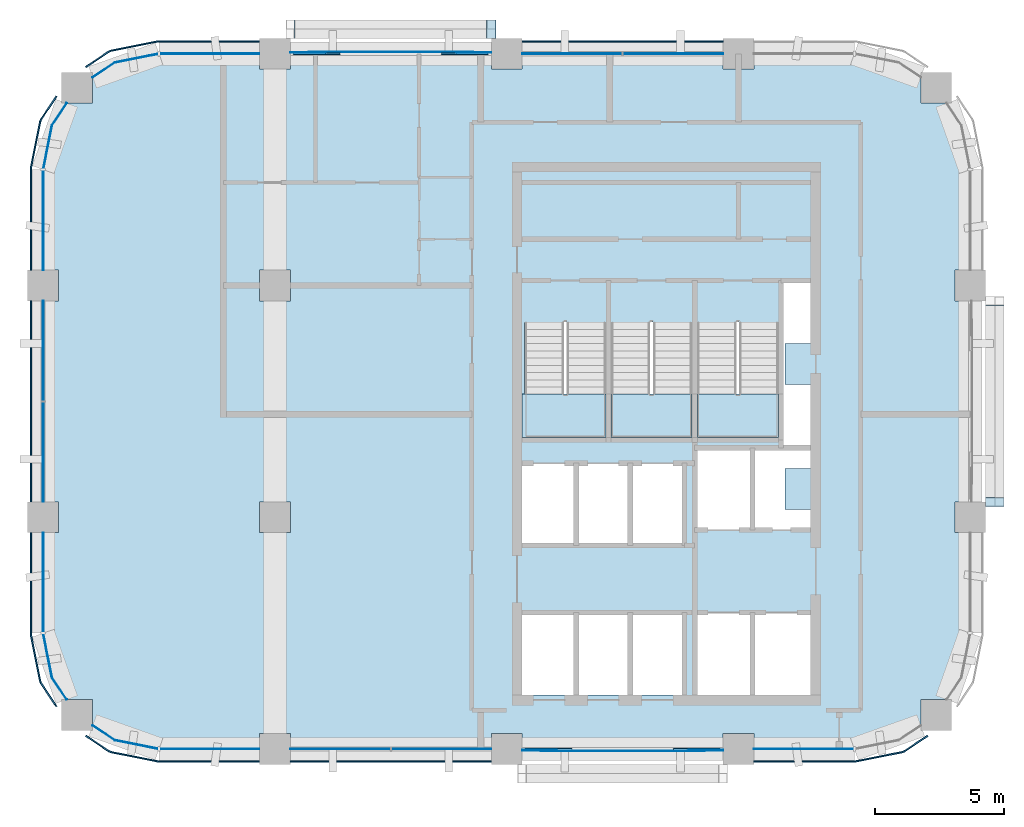
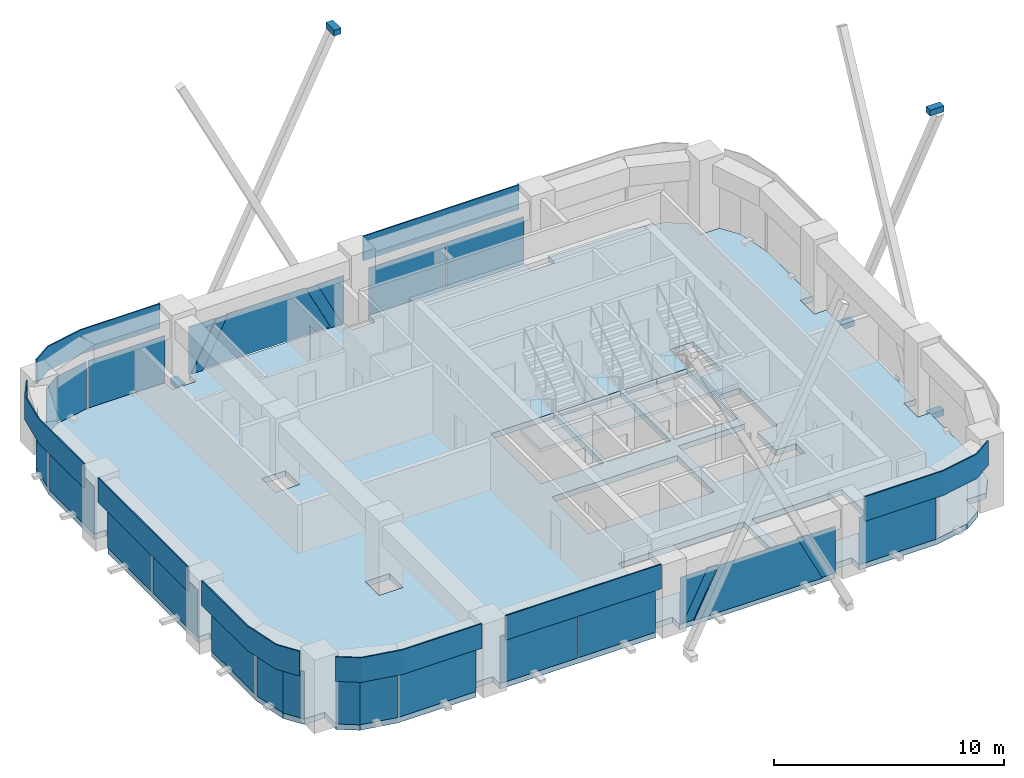
# One storey, part 5 of 10: 33 plates, 6 members, 4 slabs, 13 elements without a shape of their own.
"""IFC4 building model written with IfcOpenShell, lengths in metres."""

from ifc_helpers import new_model, si_unit, direction, frame, origin, origin_2d, place, context, subcontext, project, spatial, polyline, rectangle, outline, extrude, material, layer, layer_set, type_object, element, aggregate, save


model = new_model("IFC4")

# Units and contexts
model_context = context("Model", 3, precision=1e-05, world=origin(), true_north=direction((0.0, 1.0)))
body_context = subcontext(model_context, "Body", "Model", "MODEL_VIEW")
ifc_project = project(units=[si_unit("LENGTHUNIT", "METRE"), si_unit("AREAUNIT", "SQUARE_METRE"), si_unit("VOLUMEUNIT", "CUBIC_METRE"), si_unit("PLANEANGLEUNIT", "RADIAN"), si_unit("MASSUNIT", "GRAM", prefix="KILO")], contexts=[model_context])

# Site, building, storey
site_placement = place(None, origin())
site = spatial("IfcSite", under=ifc_project, at=site_placement, CompositionType="ELEMENT")
building_placement = place(site_placement, origin())
building = spatial("IfcBuilding", under=site, at=building_placement, Name="Tessera Arch", CompositionType="ELEMENT")
storey_placement = place(building_placement, frame((0.0, 0.0, 265.699951171875)))
storey = spatial("IfcBuildingStorey", under=building, at=storey_placement, Name="L64", CompositionType="ELEMENT", Elevation=265.699951171875)

# Members
ifc_material_1 = material(Name="Steel A572 Gr50", Category="steel")
ifc_layer_1 = layer(ifc_material_1, 0.050048828125)
ifc_layer_set_1 = layer_set([ifc_layer_1], Name="Node block Steel A572 Gr50")
member_type = type_object("IfcMemberType", Name="Node block Steel A572 Gr50", PredefinedType="PLATE", material=ifc_layer_set_1)
for number, where, z_axis, x_axis, name in (
    (1, (54.95556640625, 44.39990234375, -1.20166015625), (0.0, 0.0, 1.0), (0.0, 1.0, 0.0), "Node block seat E54.27-0 1 L64"),
    (2, (54.95556640625, 36.60009765625, -1.20166015625), (0.0, 0.0, 1.0), (0.0, 1.0, 0.0), "Node block seat E54.27-0 2 L64"),
    (3, (54.95556640625, 36.60009765625, 14.90185546875), (0.0, 0.0, 1.0), (0.0, 1.0, 0.0), "Node block head E54.27-0 B L64"),
    (4, (27.60009765625, 54.95556640625, -1.20166015625), (0.0, 0.0, 1.0), (-1.0, 0.0, 0.0), "Node block seat N54.18-2 1 L64"),
    (5, (35.39990234375, 54.95556640625, -1.20166015625), (0.0, 0.0, 1.0), (-1.0, 0.0, 0.0), "Node block seat N54.18-2 2 L64"),
    (6, (35.39990234375, 54.95556640625, 14.90185546875), (0.0, 0.0, 1.0), (-1.0, 0.0, 0.0), "Node block head N54.18-2 B L64"),
):
    element("IfcMember", number, at=place(storey_placement, frame(where, z_axis=z_axis, x_axis=x_axis)), inside=storey, type_object=member_type, Name=name, PredefinedType="PLATE", context=body_context, shape_type="SweptSolid", body=[
        extrude(rectangle(XDim=0.355712890625, YDim=0.711181640625, at=origin_2d()), origin(), (0.0, 0.0, 1.0), 0.300048828125),
    ])

# Curtain wall, plates
ifc_material_2 = material(Name="CW1 curtain wall")
curtain_wall_type_1 = type_object("IfcCurtainWallType", Name="CW1 curtain wall", PredefinedType="NOTDEFINED", material=ifc_material_2)
curtain_wall_1_placement = place(storey_placement, origin())
curtain_wall_1 = element("IfcCurtainWall", 7, at=curtain_wall_1_placement, inside=storey, type_object=curtain_wall_type_1, Name="CW1 curtain wall N54.18/1 L64", PredefinedType="NOTDEFINED")
ifc_material_3 = material(Name="Clear low-e glass", Category="glass")
ifc_material_4 = material(Name="Clear low-e glass", Category="glass")
ifc_layer_2 = layer(ifc_material_4, 0.028076171875)
ifc_layer_set_2 = layer_set([ifc_layer_2], Name="CW1 glass panel")
plate_type_1 = type_object("IfcPlateType", Name="CW1 glass panel", PredefinedType="CURTAIN_PANEL", material=ifc_layer_set_2)
plate_1_placement = place(storey_placement, frame((42.465087890625, 54.0, 0.0), z_axis=(0.0, 0.0, 1.0), x_axis=(-1.0, 0.0, 0.0)))
plate_1 = element("IfcPlate", 8, at=plate_1_placement, type_object=plate_type_1, material=ifc_material_3, Name="CW1 glass panel N54.18/1 1.1.1", PredefinedType="CURTAIN_PANEL", context=body_context, shape_type="SweptSolid", body=[
    extrude(rectangle(XDim=3.8701171875, YDim=0.028076171875, at=origin_2d()), origin(), (0.0, 0.0, 1.0), 2.5),
])
plate_2_placement = place(storey_placement, frame((38.534912109375, 54.0, 0.0), z_axis=(0.0, 0.0, 1.0), x_axis=(-1.0, 0.0, 0.0)))
plate_2 = element("IfcPlate", 9, at=plate_2_placement, type_object=plate_type_1, material=ifc_material_3, Name="CW1 glass panel N54.18/1 1.2.1", PredefinedType="CURTAIN_PANEL", context=body_context, shape_type="SweptSolid", body=[
    extrude(rectangle(XDim=3.8701171875, YDim=0.028076171875, at=origin_2d()), origin(), (0.0, 0.0, 1.0), 2.5),
])

curtain_wall_2_placement = place(storey_placement, origin())
curtain_wall_2 = element("IfcCurtainWall", 10, at=curtain_wall_2_placement, inside=storey, type_object=curtain_wall_type_1, Name="CW1 curtain wall W18.27/1 L64", PredefinedType="NOTDEFINED")
plate_3_placement = place(storey_placement, frame((18.0, 42.465087890625, 0.0), z_axis=(0.0, 0.0, 1.0), x_axis=(0.0, -1.0, 0.0)))
plate_3 = element("IfcPlate", 11, at=plate_3_placement, type_object=plate_type_1, material=ifc_material_3, Name="CW1 glass panel W18.27/1 1.1.1", PredefinedType="CURTAIN_PANEL", context=body_context, shape_type="SweptSolid", body=[
    extrude(rectangle(XDim=3.8701171875, YDim=0.028076171875, at=origin_2d()), origin(), (0.0, 0.0, 1.0), 2.5),
])
plate_4_placement = place(storey_placement, frame((18.0, 38.534912109375, 0.0), z_axis=(0.0, 0.0, 1.0), x_axis=(0.0, -1.0, 0.0)))
plate_4 = element("IfcPlate", 12, at=plate_4_placement, type_object=plate_type_1, material=ifc_material_3, Name="CW1 glass panel W18.27/1 1.2.1", PredefinedType="CURTAIN_PANEL", context=body_context, shape_type="SweptSolid", body=[
    extrude(rectangle(XDim=3.8701171875, YDim=0.028076171875, at=origin_2d()), origin(), (0.0, 0.0, 1.0), 2.5),
])

curtain_wall_3_placement = place(storey_placement, origin())
curtain_wall_3 = element("IfcCurtainWall", 13, at=curtain_wall_3_placement, inside=storey, type_object=curtain_wall_type_1, Name="CW1 curtain wall S27.18/1 L64", PredefinedType="NOTDEFINED")
plate_5_placement = place(storey_placement, frame((29.534912109375, 27.0, 0.0), z_axis=(0.0, 0.0, 1.0), x_axis=(1.0, 0.0, 0.0)))
plate_5 = element("IfcPlate", 14, at=plate_5_placement, type_object=plate_type_1, material=ifc_material_3, Name="CW1 glass panel S27.18/1 1.1.1", PredefinedType="CURTAIN_PANEL", context=body_context, shape_type="SweptSolid", body=[
    extrude(rectangle(XDim=3.8701171875, YDim=0.028076171875, at=origin_2d()), origin(), (0.0, 0.0, 1.0), 2.5),
])
plate_6_placement = place(storey_placement, frame((33.465087890625, 27.0, 0.0), z_axis=(0.0, 0.0, 1.0), x_axis=(1.0, 0.0, 0.0)))
plate_6 = element("IfcPlate", 15, at=plate_6_placement, type_object=plate_type_1, material=ifc_material_3, Name="CW1 glass panel S27.18/1 1.2.1", PredefinedType="CURTAIN_PANEL", context=body_context, shape_type="SweptSolid", body=[
    extrude(rectangle(XDim=3.8701171875, YDim=0.028076171875, at=origin_2d()), origin(), (0.0, 0.0, 1.0), 2.5),
])

# Plate
ifc_material_5 = material(Name="Pale anodised aluminium panel", Category="aluminium")
ifc_layer_3 = layer(ifc_material_5, 0.06005859375)
ifc_layer_set_3 = layer_set([ifc_layer_3], Name="CW1 spandrel panel")
plate_type_2 = type_object("IfcPlateType", Name="CW1 spandrel panel", PredefinedType="CURTAIN_PANEL", material=ifc_layer_set_3)
plate_7_placement = place(storey_placement, frame((40.5, 54.47998046875, 2.60009765625), z_axis=(0.0, 0.0, 1.0), x_axis=(-1.0, 0.0, 0.0)))
plate_7 = element("IfcPlate", 16, at=plate_7_placement, type_object=plate_type_2, Name="CW1 spandrel panel N54.18/1", PredefinedType="CURTAIN_PANEL", context=body_context, shape_type="SweptSolid", body=[
    extrude(rectangle(XDim=7.800048828125, YDim=0.06005859375, at=origin_2d()), origin(), (0.0, 0.0, 1.0), 1.300048828125),
])

aggregate(curtain_wall_1, [plate_1, plate_2, plate_7])

plate_8_placement = place(storey_placement, frame((17.52001953125, 40.5, 2.60009765625), z_axis=(0.0, 0.0, 1.0), x_axis=(0.0, -1.0, 0.0)))
plate_8 = element("IfcPlate", 17, at=plate_8_placement, type_object=plate_type_2, Name="CW1 spandrel panel W18.27/1", PredefinedType="CURTAIN_PANEL", context=body_context, shape_type="SweptSolid", body=[
    extrude(rectangle(XDim=7.800048828125, YDim=0.06005859375, at=origin_2d()), origin(), (0.0, 0.0, 1.0), 1.300048828125),
])

aggregate(curtain_wall_2, [plate_3, plate_4, plate_8])

plate_9_placement = place(storey_placement, frame((31.5, 26.52001953125, 2.60009765625), z_axis=(0.0, 0.0, 1.0), x_axis=(1.0, 0.0, 0.0)))
plate_9 = element("IfcPlate", 18, at=plate_9_placement, type_object=plate_type_2, Name="CW1 spandrel panel S27.18/1", PredefinedType="CURTAIN_PANEL", context=body_context, shape_type="SweptSolid", body=[
    extrude(rectangle(XDim=7.800048828125, YDim=0.06005859375, at=origin_2d()), origin(), (0.0, 0.0, 1.0), 1.300048828125),
])

aggregate(curtain_wall_3, [plate_5, plate_6, plate_9])

# Curtain wall, plates
ifc_material_6 = material(Name="CW2 curtain wall")
curtain_wall_type_2 = type_object("IfcCurtainWallType", Name="CW2 curtain wall", PredefinedType="NOTDEFINED", material=ifc_material_6)
curtain_wall_4_placement = place(storey_placement, origin())
curtain_wall_4 = element("IfcCurtainWall", 19, at=curtain_wall_4_placement, inside=storey, type_object=curtain_wall_type_2, Name="CW2 curtain wall N54.18/3 L64", PredefinedType="NOTDEFINED")
ifc_material_7 = material(Name="Clear low-e glass", Category="glass")
ifc_layer_4 = layer(ifc_material_7, 0.028076171875)
ifc_layer_set_4 = layer_set([ifc_layer_4], Name="CW2 glass panel")
plate_type_3 = type_object("IfcPlateType", Name="CW2 glass panel", PredefinedType="CURTAIN_PANEL", material=ifc_layer_set_4)
plate_10_placement = place(storey_placement, frame((24.469970703125, 54.0, 0.0), z_axis=(0.0, 0.0, 1.0), x_axis=(-1.0, 0.0, 0.0)))
plate_10 = element("IfcPlate", 20, at=plate_10_placement, type_object=plate_type_3, material=ifc_material_3, Name="CW2 glass panel N54.18/3 1.1", PredefinedType="CURTAIN_PANEL", context=body_context, shape_type="SweptSolid", body=[
    extrude(rectangle(XDim=3.860107421875, YDim=0.028076171875, at=origin_2d()), origin(), (0.0, 0.0, 1.0), 2.5),
])
plate_11_placement = place(storey_placement, origin())
plate_11 = element("IfcPlate", 21, at=plate_11_placement, type_object=plate_type_3, material=ifc_material_3, Name="CW2 curved glass panel N54.18/3 2.1", PredefinedType="CURTAIN_PANEL", context=body_context, shape_type="SweptSolid", body=[
    extrude(outline(polyline([(20.783447265625, 53.644287109375), (22.46337890625, 53.978515625), (22.4580078125, 54.005859375), (20.7724609375, 53.670654296875), (19.91015625, 53.094482421875), (19.92578125, 53.0712890625), (20.783447265625, 53.644287109375)])), origin(), (0.0, 0.0, 1.0), 2.5),
])

curtain_wall_5_placement = place(storey_placement, origin())
curtain_wall_5 = element("IfcCurtainWall", 22, at=curtain_wall_5_placement, inside=storey, type_object=curtain_wall_type_2, Name="CW2 curtain wall W18.27/0 L64", PredefinedType="NOTDEFINED")
plate_12_placement = place(storey_placement, frame((18.0, 47.530029296875, 0.0), z_axis=(0.0, 0.0, 1.0), x_axis=(0.0, -1.0, 0.0)))
plate_12 = element("IfcPlate", 23, at=plate_12_placement, type_object=plate_type_3, material=ifc_material_3, Name="CW2 glass panel W18.27/0 1.1", PredefinedType="CURTAIN_PANEL", context=body_context, shape_type="SweptSolid", body=[
    extrude(rectangle(XDim=3.860107421875, YDim=0.028076171875, at=origin_2d()), origin(), (0.0, 0.0, 1.0), 2.5),
])
plate_13_placement = place(storey_placement, origin())
plate_13 = element("IfcPlate", 24, at=plate_13_placement, type_object=plate_type_3, material=ifc_material_3, Name="CW2 curved glass panel W18.27/0 2.1", PredefinedType="CURTAIN_PANEL", context=body_context, shape_type="SweptSolid", body=[
    extrude(outline(polyline([(18.355712890625, 51.216552734375), (18.9287109375, 52.07421875), (18.905517578125, 52.08984375), (18.329345703125, 51.2275390625), (17.994140625, 49.5419921875), (18.021484375, 49.53662109375), (18.355712890625, 51.216552734375)])), origin(), (0.0, 0.0, 1.0), 2.5),
])

curtain_wall_6_placement = place(storey_placement, origin())
curtain_wall_6 = element("IfcCurtainWall", 25, at=curtain_wall_6_placement, inside=storey, type_object=curtain_wall_type_2, Name="CW2 curtain wall W18.27/2 L64", PredefinedType="NOTDEFINED")
plate_14_placement = place(storey_placement, frame((18.0, 33.469970703125, 0.0), z_axis=(0.0, 0.0, 1.0), x_axis=(0.0, -1.0, 0.0)))
plate_14 = element("IfcPlate", 26, at=plate_14_placement, type_object=plate_type_3, material=ifc_material_3, Name="CW2 glass panel W18.27/2 1.1", PredefinedType="CURTAIN_PANEL", context=body_context, shape_type="SweptSolid", body=[
    extrude(rectangle(XDim=3.860107421875, YDim=0.028076171875, at=origin_2d()), origin(), (0.0, 0.0, 1.0), 2.5),
])
plate_15_placement = place(storey_placement, origin())
plate_15 = element("IfcPlate", 27, at=plate_15_placement, type_object=plate_type_3, material=ifc_material_3, Name="CW2 curved glass panel W18.27/2 2.1", PredefinedType="CURTAIN_PANEL", context=body_context, shape_type="SweptSolid", body=[
    extrude(outline(polyline([(18.355712890625, 29.783447265625), (18.021484375, 31.46337890625), (17.994140625, 31.4580078125), (18.329345703125, 29.7724609375), (18.905517578125, 28.91015625), (18.9287109375, 28.92578125), (18.355712890625, 29.783447265625)])), origin(), (0.0, 0.0, 1.0), 2.5),
])

curtain_wall_7_placement = place(storey_placement, origin())
curtain_wall_7 = element("IfcCurtainWall", 28, at=curtain_wall_7_placement, inside=storey, type_object=curtain_wall_type_2, Name="CW2 curtain wall S27.18/0 L64", PredefinedType="NOTDEFINED")
plate_16_placement = place(storey_placement, frame((24.469970703125, 27.0, 0.0), z_axis=(0.0, 0.0, 1.0), x_axis=(1.0, 0.0, 0.0)))
plate_16 = element("IfcPlate", 29, at=plate_16_placement, type_object=plate_type_3, material=ifc_material_3, Name="CW2 glass panel S27.18/0 1.1", PredefinedType="CURTAIN_PANEL", context=body_context, shape_type="SweptSolid", body=[
    extrude(rectangle(XDim=3.860107421875, YDim=0.028076171875, at=origin_2d()), origin(), (0.0, 0.0, 1.0), 2.5),
])
plate_17_placement = place(storey_placement, origin())
plate_17 = element("IfcPlate", 30, at=plate_17_placement, type_object=plate_type_3, material=ifc_material_3, Name="CW2 curved glass panel S27.18/0 2.1", PredefinedType="CURTAIN_PANEL", context=body_context, shape_type="SweptSolid", body=[
    extrude(outline(polyline([(20.783447265625, 27.355712890625), (19.92578125, 27.9287109375), (19.91015625, 27.905517578125), (20.7724609375, 27.329345703125), (22.4580078125, 26.994140625), (22.46337890625, 27.021484375), (20.783447265625, 27.355712890625)])), origin(), (0.0, 0.0, 1.0), 2.5),
])

# Curtain wall, plate
curtain_wall_8_placement = place(storey_placement, origin())
curtain_wall_8 = element("IfcCurtainWall", 31, at=curtain_wall_8_placement, inside=storey, type_object=curtain_wall_type_2, Name="CW2 curtain wall S27.18/3 L64", PredefinedType="NOTDEFINED")
plate_18_placement = place(storey_placement, frame((47.530029296875, 27.0, 0.0), z_axis=(0.0, 0.0, 1.0), x_axis=(1.0, 0.0, 0.0)))
plate_18 = element("IfcPlate", 32, at=plate_18_placement, type_object=plate_type_3, material=ifc_material_3, Name="CW2 glass panel S27.18/3 1.1", PredefinedType="CURTAIN_PANEL", context=body_context, shape_type="SweptSolid", body=[
    extrude(rectangle(XDim=3.860107421875, YDim=0.028076171875, at=origin_2d()), origin(), (0.0, 0.0, 1.0), 2.5),
])

# Plate
ifc_material_8 = material(Name="Pale anodised aluminium panel", Category="aluminium")
ifc_layer_5 = layer(ifc_material_8, 0.06005859375)
ifc_layer_set_5 = layer_set([ifc_layer_5], Name="CW2 spandrel panel")
plate_type_4 = type_object("IfcPlateType", Name="CW2 spandrel panel", PredefinedType="CURTAIN_PANEL", material=ifc_layer_set_5)
plate_19_placement = place(storey_placement, frame((0.0, 0.0, 2.60009765625)))
plate_19 = element("IfcPlate", 33, at=plate_19_placement, type_object=plate_type_4, Name="CW2 spandrel panel N54.18/3", PredefinedType="CURTAIN_PANEL", context=body_context, shape_type="SweptSolid", body=[
    extrude(outline(polyline([(22.500732421875, 54.449951171875), (26.39990234375, 54.449951171875), (26.39990234375, 54.510009765625), (22.499267578125, 54.510009765625), (22.449951171875, 54.507568359375), (22.401123046875, 54.500244140625), (20.677734375, 54.157470703125), (20.6298828125, 54.1455078125), (20.582763671875, 54.128662109375), (20.537353515625, 54.107421875), (20.4951171875, 54.08203125), (19.634765625, 53.5068359375), (19.66796875, 53.45703125), (20.52734375, 54.03125), (20.565673828125, 54.054443359375), (20.605712890625, 54.0732421875), (20.647216796875, 54.088134765625), (20.69091796875, 54.09912109375), (22.411376953125, 54.441162109375), (22.455810546875, 54.44775390625), (22.500732421875, 54.449951171875)])), origin(), (0.0, 0.0, 1.0), 1.300048828125),
])

aggregate(curtain_wall_4, [plate_10, plate_11, plate_19])

plate_20_placement = place(storey_placement, frame((0.0, 0.0, 2.60009765625)))
plate_20 = element("IfcPlate", 34, at=plate_20_placement, type_object=plate_type_4, Name="CW2 spandrel panel W18.27/0", PredefinedType="CURTAIN_PANEL", context=body_context, shape_type="SweptSolid", body=[
    extrude(outline(polyline([(17.96875, 51.47265625), (18.54296875, 52.33203125), (18.4931640625, 52.365234375), (17.91796875, 51.5048828125), (17.892578125, 51.462646484375), (17.871337890625, 51.417236328125), (17.8544921875, 51.3701171875), (17.842529296875, 51.322265625), (17.499755859375, 49.598876953125), (17.492431640625, 49.550048828125), (17.489990234375, 49.500732421875), (17.489990234375, 45.60009765625), (17.550048828125, 45.60009765625), (17.550048828125, 49.499267578125), (17.55224609375, 49.544189453125), (17.558837890625, 49.588623046875), (17.90087890625, 51.30908203125), (17.911865234375, 51.352783203125), (17.9267578125, 51.394287109375), (17.945556640625, 51.434326171875), (17.96875, 51.47265625)])), origin(), (0.0, 0.0, 1.0), 1.300048828125),
])

aggregate(curtain_wall_5, [plate_12, plate_13, plate_20])

plate_21_placement = place(storey_placement, frame((0.0, 0.0, 2.60009765625)))
plate_21 = element("IfcPlate", 35, at=plate_21_placement, type_object=plate_type_4, Name="CW2 spandrel panel W18.27/2", PredefinedType="CURTAIN_PANEL", context=body_context, shape_type="SweptSolid", body=[
    extrude(outline(polyline([(17.550048828125, 31.500732421875), (17.550048828125, 35.39990234375), (17.489990234375, 35.39990234375), (17.489990234375, 31.499267578125), (17.492431640625, 31.449951171875), (17.499755859375, 31.401123046875), (17.842529296875, 29.677734375), (17.8544921875, 29.6298828125), (17.871337890625, 29.582763671875), (17.892578125, 29.537353515625), (17.91796875, 29.4951171875), (18.4931640625, 28.634765625), (18.54296875, 28.66796875), (17.96875, 29.52734375), (17.945556640625, 29.565673828125), (17.9267578125, 29.605712890625), (17.911865234375, 29.647216796875), (17.90087890625, 29.69091796875), (17.558837890625, 31.411376953125), (17.55224609375, 31.455810546875), (17.550048828125, 31.500732421875)])), origin(), (0.0, 0.0, 1.0), 1.300048828125),
])

aggregate(curtain_wall_6, [plate_14, plate_15, plate_21])

plate_22_placement = place(storey_placement, frame((0.0, 0.0, 2.60009765625)))
plate_22 = element("IfcPlate", 36, at=plate_22_placement, type_object=plate_type_4, Name="CW2 spandrel panel S27.18/0", PredefinedType="CURTAIN_PANEL", context=body_context, shape_type="SweptSolid", body=[
    extrude(outline(polyline([(20.52734375, 26.96875), (19.66796875, 27.54296875), (19.634765625, 27.4931640625), (20.4951171875, 26.91796875), (20.537353515625, 26.892578125), (20.582763671875, 26.871337890625), (20.6298828125, 26.8544921875), (20.677734375, 26.842529296875), (22.401123046875, 26.499755859375), (22.449951171875, 26.492431640625), (22.499267578125, 26.489990234375), (26.39990234375, 26.489990234375), (26.39990234375, 26.550048828125), (22.500732421875, 26.550048828125), (22.455810546875, 26.55224609375), (22.411376953125, 26.558837890625), (20.69091796875, 26.90087890625), (20.647216796875, 26.911865234375), (20.605712890625, 26.9267578125), (20.565673828125, 26.945556640625), (20.52734375, 26.96875)])), origin(), (0.0, 0.0, 1.0), 1.300048828125),
])

aggregate(curtain_wall_7, [plate_16, plate_17, plate_22])

plate_23_placement = place(storey_placement, frame((0.0, 0.0, 2.60009765625)))
plate_23 = element("IfcPlate", 37, at=plate_23_placement, type_object=plate_type_4, Name="CW2 spandrel panel S27.18/3", PredefinedType="CURTAIN_PANEL", context=body_context, shape_type="SweptSolid", body=[
    extrude(outline(polyline([(49.499267578125, 26.550048828125), (45.60009765625, 26.550048828125), (45.60009765625, 26.489990234375), (49.500732421875, 26.489990234375), (49.550048828125, 26.492431640625), (49.598876953125, 26.499755859375), (51.322265625, 26.842529296875), (51.3701171875, 26.8544921875), (51.417236328125, 26.871337890625), (51.462646484375, 26.892578125), (51.5048828125, 26.91796875), (52.365234375, 27.4931640625), (52.33203125, 27.54296875), (51.47265625, 26.96875), (51.434326171875, 26.945556640625), (51.394287109375, 26.9267578125), (51.352783203125, 26.911865234375), (51.30908203125, 26.90087890625), (49.588623046875, 26.558837890625), (49.544189453125, 26.55224609375), (49.499267578125, 26.550048828125)])), origin(), (0.0, 0.0, 1.0), 1.300048828125),
])

aggregate(curtain_wall_8, [plate_18, plate_23])

# Curtain wall, plates
ifc_material_9 = material(Name="CW3 curtain wall")
curtain_wall_type_3 = type_object("IfcCurtainWallType", Name="CW3 curtain wall", PredefinedType="NOTDEFINED", material=ifc_material_9)
curtain_wall_9_placement = place(storey_placement, origin())
curtain_wall_9 = element("IfcCurtainWall", 38, at=curtain_wall_9_placement, inside=storey, type_object=curtain_wall_type_3, Name="CW3 curtain wall N54.18/2 L64", PredefinedType="NOTDEFINED")
ifc_material_10 = material(Name="Pale anodised aluminium panel", Category="aluminium")
ifc_layer_6 = layer(ifc_material_10, 0.06005859375)
ifc_layer_set_6 = layer_set([ifc_layer_6], Name="CW3 diagonal panel")
plate_type_5 = type_object("IfcPlateType", Name="CW3 diagonal panel", PredefinedType="CURTAIN_PANEL", material=ifc_layer_set_6)
plate_24_placement = place(storey_placement, frame((28.9677734375, 54.030029296875, 2.5), z_axis=(0.0, 1.0, 0.0), x_axis=(1.0, 0.0, 0.0)))
plate_24 = element("IfcPlate", 39, at=plate_24_placement, type_object=plate_type_5, Name="CW3 diagonal panel N54.18/2 1", PredefinedType="CURTAIN_PANEL", context=body_context, shape_type="SweptSolid", body=[
    extrude(outline(polyline([(0.0, 0.0), (0.564453125, 0.0), (-0.685546875, 2.5), (-1.25, 2.5), (0.0, 0.0)])), origin(), (0.0, 0.0, -1.0), 0.06005859375),
])
plate_25_placement = place(storey_placement, frame((33.4677734375, 54.030029296875, 2.5), z_axis=(0.0, 1.0, 0.0), x_axis=(1.0, 0.0, 0.0)))
plate_25 = element("IfcPlate", 40, at=plate_25_placement, type_object=plate_type_5, Name="CW3 diagonal panel N54.18/2 2", PredefinedType="CURTAIN_PANEL", context=body_context, shape_type="SweptSolid", body=[
    extrude(outline(polyline([(0.0, 0.0), (0.564453125, 0.0), (1.814453125, 2.5), (1.25, 2.5), (0.0, 0.0)])), origin(), (0.0, 0.0, -1.0), 0.06005859375),
])

curtain_wall_10_placement = place(storey_placement, origin())
curtain_wall_10 = element("IfcCurtainWall", 41, at=curtain_wall_10_placement, inside=storey, type_object=curtain_wall_type_3, Name="CW3 curtain wall S27.18/2 L64", PredefinedType="NOTDEFINED")
plate_26_placement = place(storey_placement, frame((43.0322265625, 26.969970703125, 2.5), z_axis=(0.0, -1.0, 0.0), x_axis=(-1.0, 0.0, 0.0)))
plate_26 = element("IfcPlate", 42, at=plate_26_placement, type_object=plate_type_5, Name="CW3 diagonal panel S27.18/2 1", PredefinedType="CURTAIN_PANEL", context=body_context, shape_type="SweptSolid", body=[
    extrude(outline(polyline([(0.0, 0.0), (0.564453125, 0.0), (-0.685546875, 2.5), (-1.25, 2.5), (0.0, 0.0)])), origin(), (0.0, 0.0, -1.0), 0.06005859375),
])
plate_27_placement = place(storey_placement, frame((38.5322265625, 26.969970703125, 2.5), z_axis=(0.0, -1.0, 0.0), x_axis=(-1.0, 0.0, 0.0)))
plate_27 = element("IfcPlate", 43, at=plate_27_placement, type_object=plate_type_5, Name="CW3 diagonal panel S27.18/2 2", PredefinedType="CURTAIN_PANEL", context=body_context, shape_type="SweptSolid", body=[
    extrude(outline(polyline([(0.0, 0.0), (0.564453125, 0.0), (1.814453125, 2.5), (1.25, 2.5), (0.0, 0.0)])), origin(), (0.0, 0.0, -1.0), 0.06005859375),
])

# Plate
ifc_material_11 = material(Name="Clear low-e glass", Category="glass")
ifc_layer_7 = layer(ifc_material_11, 0.028076171875)
ifc_layer_set_7 = layer_set([ifc_layer_7], Name="CW3 glass panel")
plate_type_6 = type_object("IfcPlateType", Name="CW3 glass panel", PredefinedType="CURTAIN_PANEL", material=ifc_layer_set_7)
plate_28_placement = place(storey_placement, frame((35.39990234375, 54.05810546875, 0.0), z_axis=(0.0, 1.0, 0.0), x_axis=(-1.0, 0.0, 0.0)))
plate_28 = element("IfcPlate", 44, at=plate_28_placement, type_object=plate_type_6, material=ifc_material_3, Name="CW3 triangulated glass panel N54.18/2 1", PredefinedType="CURTAIN_PANEL", context=body_context, shape_type="SweptSolid", body=[
    extrude(outline(polyline([(0.0, 0.0), (0.11767578125, 0.0), (1.36767578125, 2.5), (0.0, 2.5), (0.0, 0.0)])), origin(), (0.0, 0.0, -1.0), 0.028076171875),
])

plate_29_placement = place(storey_placement, frame((29.5322265625, 54.0859375, 2.5), z_axis=(0.0, 1.0, 0.0), x_axis=(1.0, 0.0, 0.0)))
plate_29 = element("IfcPlate", 45, at=plate_29_placement, type_object=plate_type_6, material=ifc_material_3, Name="CW3 triangulated glass panel N54.18/2 2", PredefinedType="CURTAIN_PANEL", context=body_context, shape_type="SweptSolid", body=[
    extrude(outline(polyline([(0.0, 0.0), (3.935546875, 0.0), (5.185546875, 2.5), (-1.25, 2.5), (0.0, 0.0)])), origin(), (0.0, 0.0, -1.0), 0.028076171875),
])

plate_30_placement = place(storey_placement, frame((27.60009765625, 54.05810546875, 2.5), z_axis=(0.0, 1.0, 0.0), x_axis=(1.0, 0.0, 0.0)))
plate_30 = element("IfcPlate", 46, at=plate_30_placement, type_object=plate_type_6, material=ifc_material_3, Name="CW3 triangulated glass panel N54.18/2 3", PredefinedType="CURTAIN_PANEL", context=body_context, shape_type="SweptSolid", body=[
    extrude(outline(polyline([(0.0, 0.0), (1.36767578125, 0.0), (0.11767578125, 2.5), (0.0, 2.5), (0.0, 0.0)])), origin(), (0.0, 0.0, -1.0), 0.028076171875),
])

aggregate(curtain_wall_9, [plate_28, plate_29, plate_30, plate_24, plate_25])

plate_31_placement = place(storey_placement, frame((36.60009765625, 26.94189453125, 0.0), z_axis=(0.0, -1.0, 0.0), x_axis=(1.0, 0.0, 0.0)))
plate_31 = element("IfcPlate", 47, at=plate_31_placement, type_object=plate_type_6, material=ifc_material_3, Name="CW3 triangulated glass panel S27.18/2 1", PredefinedType="CURTAIN_PANEL", context=body_context, shape_type="SweptSolid", body=[
    extrude(outline(polyline([(0.0, 0.0), (0.11767578125, 0.0), (1.36767578125, 2.5), (0.0, 2.5), (0.0, 0.0)])), origin(), (0.0, 0.0, -1.0), 0.028076171875),
])

plate_32_placement = place(storey_placement, frame((42.4677734375, 26.9140625, 2.5), z_axis=(0.0, -1.0, 0.0), x_axis=(-1.0, 0.0, 0.0)))
plate_32 = element("IfcPlate", 48, at=plate_32_placement, type_object=plate_type_6, material=ifc_material_3, Name="CW3 triangulated glass panel S27.18/2 2", PredefinedType="CURTAIN_PANEL", context=body_context, shape_type="SweptSolid", body=[
    extrude(outline(polyline([(0.0, 0.0), (3.935546875, 0.0), (5.185546875, 2.5), (-1.25, 2.5), (0.0, 0.0)])), origin(), (0.0, 0.0, -1.0), 0.028076171875),
])

plate_33_placement = place(storey_placement, frame((44.39990234375, 26.94189453125, 2.5), z_axis=(0.0, -1.0, 0.0), x_axis=(-1.0, 0.0, 0.0)))
plate_33 = element("IfcPlate", 49, at=plate_33_placement, type_object=plate_type_6, material=ifc_material_3, Name="CW3 triangulated glass panel S27.18/2 3", PredefinedType="CURTAIN_PANEL", context=body_context, shape_type="SweptSolid", body=[
    extrude(outline(polyline([(0.0, 0.0), (1.36767578125, 0.0), (0.11767578125, 2.5), (0.0, 2.5), (0.0, 0.0)])), origin(), (0.0, 0.0, -1.0), 0.028076171875),
])

aggregate(curtain_wall_10, [plate_31, plate_32, plate_33, plate_26, plate_27])

# Slab
ifc_material_12 = material(Name="Concrete C40/50", Category="concrete")
ifc_layer_8 = layer(ifc_material_12, 0.300048828125)
ifc_layer_set_8 = layer_set([ifc_layer_8], Name="Floor slab 300 Concrete C40/50")
slab_type_1 = type_object("IfcSlabType", Name="Floor slab 300 Concrete C40/50", PredefinedType="FLOOR", material=ifc_layer_set_8)
slab_1_placement = place(storey_placement, frame((0.0, 0.0, -0.300048828125)))
element("IfcSlab", 50, at=slab_1_placement, inside=storey, type_object=slab_type_1, Name="Floor slab L64 1", PredefinedType="FLOOR", context=body_context, shape_type="SweptSolid", body=[
    extrude(outline(polyline([(54.0, 31.5), (53.657470703125, 29.77783203125), (53.0830078125, 28.91796875), (52.08203125, 28.91796875), (52.08203125, 27.9169921875), (51.22216796875, 27.342529296875), (49.5, 27.0), (45.60009765625, 27.0), (45.60009765625, 27.60009765625), (44.39990234375, 27.60009765625), (44.39990234375, 27.0), (36.60009765625, 27.0), (36.60009765625, 27.60009765625), (35.39990234375, 27.60009765625), (35.39990234375, 27.0), (27.60009765625, 27.0), (27.60009765625, 27.60009765625), (26.39990234375, 27.60009765625), (26.39990234375, 27.0), (22.5, 27.0), (20.77783203125, 27.342529296875), (19.91796875, 27.9169921875), (19.91796875, 28.91796875), (18.9169921875, 28.91796875), (18.342529296875, 29.77783203125), (18.0, 31.5), (18.0, 35.39990234375), (18.60009765625, 35.39990234375), (18.60009765625, 36.60009765625), (18.0, 36.60009765625), (18.0, 44.39990234375), (18.60009765625, 44.39990234375), (18.60009765625, 45.60009765625), (18.0, 45.60009765625), (18.0, 49.5), (18.342529296875, 51.22216796875), (18.9169921875, 52.08203125), (19.91796875, 52.08203125), (19.91796875, 53.0830078125), (20.77783203125, 53.657470703125), (22.5, 54.0), (26.39990234375, 54.0), (26.39990234375, 53.39990234375), (27.60009765625, 53.39990234375), (27.60009765625, 54.0), (35.39990234375, 54.0), (35.39990234375, 53.39990234375), (36.60009765625, 53.39990234375), (36.60009765625, 54.0), (44.39990234375, 54.0), (44.39990234375, 53.39990234375), (45.60009765625, 53.39990234375), (45.60009765625, 54.0), (49.5, 54.0), (51.22216796875, 53.657470703125), (52.08203125, 53.0830078125), (52.08203125, 52.08203125), (53.0830078125, 52.08203125), (53.657470703125, 51.22216796875), (54.0, 49.5), (54.0, 45.60009765625), (53.39990234375, 45.60009765625), (53.39990234375, 44.39990234375), (54.0, 44.39990234375), (54.0, 36.60009765625), (53.39990234375, 36.60009765625), (53.39990234375, 35.39990234375), (54.0, 35.39990234375), (54.0, 31.5)]), holes=[polyline([(40.800048828125, 29.10009765625), (42.89990234375, 29.10009765625), (42.89990234375, 32.300048828125), (40.800048828125, 32.300048828125), (38.699951171875, 32.300048828125), (36.60009765625, 32.300048828125), (36.60009765625, 29.10009765625), (38.699951171875, 29.10009765625), (40.800048828125, 29.10009765625)]), polyline([(27.60009765625, 35.39990234375), (27.60009765625, 36.60009765625), (26.39990234375, 36.60009765625), (26.39990234375, 35.39990234375), (27.60009765625, 35.39990234375)]), polyline([(40.800048828125, 34.89990234375), (42.89990234375, 34.89990234375), (42.89990234375, 38.10009765625), (40.800048828125, 38.10009765625), (38.699951171875, 38.10009765625), (36.60009765625, 38.10009765625), (36.60009765625, 34.89990234375), (38.699951171875, 34.89990234375), (40.800048828125, 34.89990234375)]), polyline([(38.219970703125, 43.580078125), (38.219970703125, 43.570068359375), (36.699951171875, 43.570068359375), (36.699951171875, 39.199951171875), (39.85009765625, 39.199951171875), (39.85009765625, 43.570068359375), (38.330078125, 43.570068359375), (38.330078125, 43.580078125), (38.219970703125, 43.580078125)]), polyline([(27.60009765625, 44.39990234375), (27.60009765625, 45.60009765625), (26.39990234375, 45.60009765625), (26.39990234375, 44.39990234375), (27.60009765625, 44.39990234375)]), polyline([(47.800048828125, 32.300048828125), (45.550048828125, 32.300048828125), (43.300048828125, 32.300048828125), (43.300048828125, 29.10009765625), (45.550048828125, 29.10009765625), (47.800048828125, 29.10009765625), (47.800048828125, 32.300048828125)]), polyline([(46.64990234375, 38.699951171875), (45.550048828125, 38.699951171875), (43.300048828125, 38.699951171875), (43.300048828125, 35.5), (45.550048828125, 35.5), (47.800048828125, 35.5), (47.800048828125, 36.300048828125), (46.800048828125, 36.300048828125), (46.800048828125, 37.89990234375), (47.800048828125, 37.89990234375), (47.800048828125, 38.699951171875), (47.800048828125, 41.14990234375), (46.800048828125, 41.14990234375), (46.800048828125, 42.75), (47.800048828125, 42.75), (47.800048828125, 45.199951171875), (46.64990234375, 45.199951171875), (46.64990234375, 38.699951171875)]), polyline([(41.570068359375, 43.580078125), (41.570068359375, 43.570068359375), (40.050048828125, 43.570068359375), (40.050048828125, 39.199951171875), (43.199951171875, 39.199951171875), (43.199951171875, 43.570068359375), (41.679931640625, 43.570068359375), (41.679931640625, 43.580078125), (41.570068359375, 43.580078125)]), polyline([(44.919921875, 43.580078125), (44.919921875, 43.570068359375), (43.39990234375, 43.570068359375), (43.39990234375, 39.199951171875), (46.550048828125, 39.199951171875), (46.550048828125, 43.570068359375), (45.030029296875, 43.570068359375), (45.030029296875, 43.580078125), (44.919921875, 43.580078125)])]), origin(), (0.0, 0.0, 1.0), 0.300048828125),
])

# Stair, slab
ifc_material_13 = material(Name="Concrete C40/50", Category="concrete")
stair_type = type_object("IfcStairType", Name="Dogleg stair 1520", PredefinedType="HALF_TURN_STAIR", material=ifc_material_13)
stair_1_placement = place(storey_placement, origin())
stair_1 = element("IfcStair", 51, at=stair_1_placement, inside=storey, type_object=stair_type, Name="L64 S1a", PredefinedType="HALF_TURN_STAIR")
ifc_material_14 = material(Name="Concrete C40/50", Category="concrete")
ifc_layer_9 = layer(ifc_material_14, 0.300048828125)
ifc_layer_set_9 = layer_set([ifc_layer_9], Name="Stair landing 300")
slab_type_2 = type_object("IfcSlabType", Name="Stair landing 300", PredefinedType="LANDING", material=ifc_layer_set_9)
slab_2_placement = place(storey_placement, frame((0.0, 0.0, 1.75)))
slab_2 = element("IfcSlab", 52, at=slab_2_placement, type_object=slab_type_2, Name="S1a landing 1", PredefinedType="LANDING", context=body_context, shape_type="SweptSolid", body=[
    extrude(outline(polyline([(36.60009765625, 40.780029296875), (36.60009765625, 39.10009765625), (39.85009765625, 39.10009765625), (39.85009765625, 40.780029296875), (36.60009765625, 40.780029296875)])), origin(), (0.0, 0.0, 1.0), 0.199951171875),
])
aggregate(stair_1, [slab_2])

stair_2_placement = place(storey_placement, origin())
stair_2 = element("IfcStair", 53, at=stair_2_placement, inside=storey, type_object=stair_type, Name="L64 S1b", PredefinedType="HALF_TURN_STAIR")
slab_3_placement = place(storey_placement, frame((0.0, 0.0, 1.75)))
slab_3 = element("IfcSlab", 54, at=slab_3_placement, type_object=slab_type_2, Name="S1b landing 1", PredefinedType="LANDING", context=body_context, shape_type="SweptSolid", body=[
    extrude(outline(polyline([(40.050048828125, 40.780029296875), (40.050048828125, 39.10009765625), (43.199951171875, 39.10009765625), (43.199951171875, 40.780029296875), (40.050048828125, 40.780029296875)])), origin(), (0.0, 0.0, 1.0), 0.199951171875),
])
aggregate(stair_2, [slab_3])

stair_3_placement = place(storey_placement, origin())
stair_3 = element("IfcStair", 55, at=stair_3_placement, inside=storey, type_object=stair_type, Name="L64 S1c", PredefinedType="HALF_TURN_STAIR")
slab_4_placement = place(storey_placement, frame((0.0, 0.0, 1.75)))
slab_4 = element("IfcSlab", 56, at=slab_4_placement, type_object=slab_type_2, Name="S1c landing 1", PredefinedType="LANDING", context=body_context, shape_type="SweptSolid", body=[
    extrude(outline(polyline([(43.39990234375, 40.780029296875), (43.39990234375, 39.10009765625), (46.550048828125, 39.10009765625), (46.550048828125, 40.780029296875), (43.39990234375, 40.780029296875)])), origin(), (0.0, 0.0, 1.0), 0.199951171875),
])
aggregate(stair_3, [slab_4])

save(model, "model.ifc")
